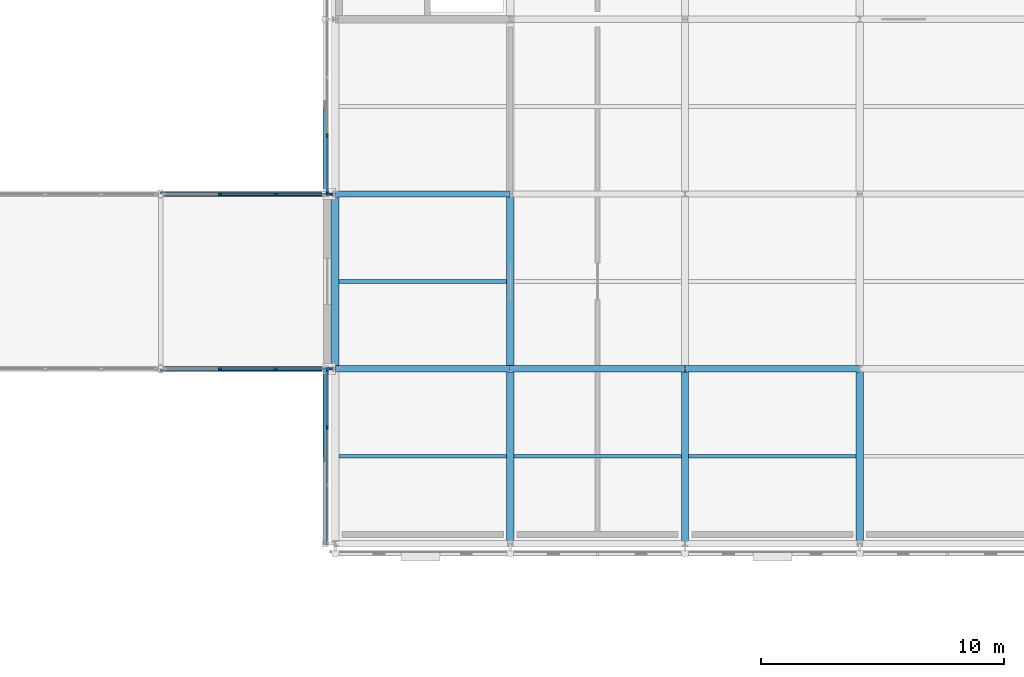
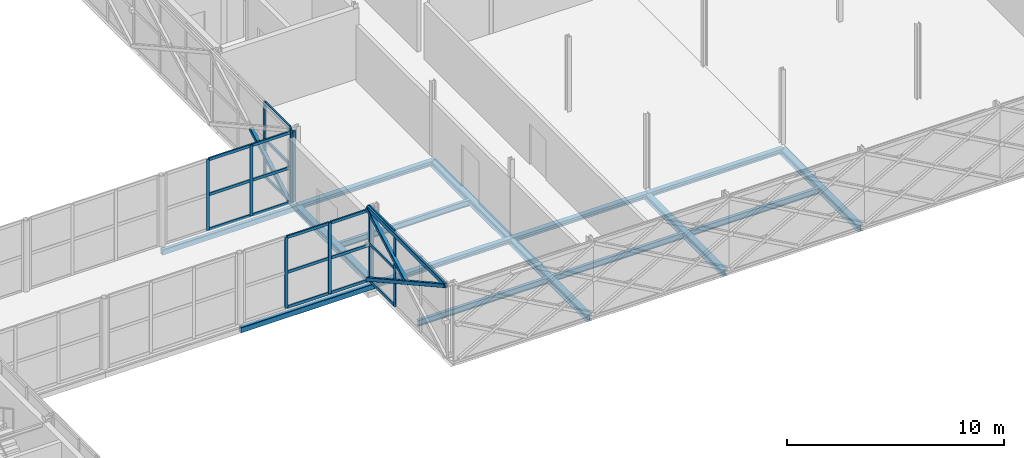
# One storey, part 58 of 126: 32 members, 15 beams, 4 elements without a shape of their own.
"""IFC4 building model written with IfcOpenShell, lengths in metres."""

import ifcopenshell
import ifcopenshell.guid

model = None  # the IFC model being written
_history = None  # IfcOwnerHistory: only IFC2X3 demands one
_inside = {}  # id of a spatial element -> (the spatial element, [elements in it])
_under = {}  # id of a project, library or spatial element -> (it, [spatial elements below it])
_declared = {}  # id of a project -> (the project, [libraries it declares])
_typed = {}  # id of a type object -> (the type object, [elements of that type])
_made_of = {}  # id of a material, layer set ... -> (it, [elements and type objects made of it])


def new_model(schema):
    """Start an empty IFC model of exactly this schema.

    Asked for "IFC4X3", IfcOpenShell would pick the latest addendum, in which some entities
    have other attributes; the version numbers below select the first issue.
    IFC2X3 requires an IfcOwnerHistory on every rooted entity: one is made here for all.
    """
    global model, _history
    if schema == "IFC4X3":
        model = ifcopenshell.file(schema_version=(4, 3, 0, 0))
    else:
        model = ifcopenshell.file(schema=schema)
    _inside.clear()
    _under.clear()
    _declared.clear()
    _typed.clear()
    _made_of.clear()
    _history = None
    if model.schema == "IFC2X3":
        org = make("IfcOrganization", Name="unknown")
        user = make(
            "IfcPersonAndOrganization",
            ThePerson=make("IfcPerson", FamilyName="unknown"),
            TheOrganization=org,
        )
        app = make(
            "IfcApplication",
            ApplicationDeveloper=org,
            Version="unknown",
            ApplicationFullName="unknown",
            ApplicationIdentifier="unknown",
        )
        _history = make(
            "IfcOwnerHistory",
            OwningUser=user,
            OwningApplication=app,
            ChangeAction="ADDED",
            CreationDate=0,
        )
    return model


def make(cls, **values):
    """One entity of the class cls with the attributes given. An attribute that is None is left unset."""
    return model.create_entity(
        cls, **{name: value for name, value in values.items() if value is not None}
    )


def rooted(cls, **values):
    """An entity with a GlobalId (a new one), such as an element, a storey or a relation."""
    return make(cls, GlobalId=ifcopenshell.guid.new(), OwnerHistory=_history, **values)


def si_unit(unit_type, name, prefix=None):
    """IfcSIUnit, for example si_unit("LENGTHUNIT", "METRE", prefix="MILLI")."""
    return make("IfcSIUnit", UnitType=unit_type, Prefix=prefix, Name=name)


def assignment(units):
    """IfcUnitAssignment: the units of a project."""
    return None if units is None else make("IfcUnitAssignment", Units=units)


def point(xyz):
    """IfcCartesianPoint."""
    return None if xyz is None else make("IfcCartesianPoint", Coordinates=xyz)


def direction(xyz):
    """IfcDirection."""
    return None if xyz is None else make("IfcDirection", DirectionRatios=xyz)


def frame(location, z_axis=None, x_axis=None):
    """IfcAxis2Placement3D, a coordinate frame: its origin and axes. An axis left out is left unset."""
    return make(
        "IfcAxis2Placement3D",
        Location=point(location),
        Axis=direction(z_axis),
        RefDirection=direction(x_axis),
    )


def frame_2d(location, x_axis=None):
    """IfcAxis2Placement2D, a coordinate frame in the plane: its origin and x axis."""
    return make(
        "IfcAxis2Placement2D", Location=point(location), RefDirection=direction(x_axis)
    )


def origin():
    """The frame at (0, 0, 0) with its axes left unset."""
    return frame((0.0, 0.0, 0.0))


def origin_2d():
    """The frame at (0, 0) in the plane with its x axis left unset."""
    return frame_2d((0.0, 0.0))


def place(relative_to, where):
    """IfcLocalPlacement: puts the frame where relative to a parent placement (None: the world)."""
    return make(
        "IfcLocalPlacement", PlacementRelTo=relative_to, RelativePlacement=where
    )


def context(
    kind, dimensions, precision=None, world=None, true_north=None, identifier=None
):
    """IfcGeometricRepresentationContext, for example the 3D "Model" context."""
    return make(
        "IfcGeometricRepresentationContext",
        ContextIdentifier=identifier,
        ContextType=kind,
        CoordinateSpaceDimension=dimensions,
        Precision=precision,
        WorldCoordinateSystem=world,
        TrueNorth=true_north,
    )


def subcontext(parent, identifier, kind, view, scale=None):
    """IfcGeometricRepresentationSubContext, for example "Body" below "Model"."""
    return make(
        "IfcGeometricRepresentationSubContext",
        ContextIdentifier=identifier,
        ContextType=kind,
        ParentContext=parent,
        TargetScale=scale,
        TargetView=view,
    )


def project(units=None, contexts=None):
    """IfcProject with its units and contexts."""
    return rooted(
        "IfcProject",
        Name="project",
        RepresentationContexts=contexts,
        UnitsInContext=assignment(units),
    )


def spatial(cls, under=None, at=None, **own):
    """A site, building, storey or space (cls), placed at a placement, below another one or the project."""
    s = rooted(cls, ObjectPlacement=at, **own)
    if under is not None:
        _under.setdefault(under.id(), (under, []))[1].append(s)
    return s


def profile(cls, at=None, kind="AREA", **sizes):
    """A parametric profile (cls). Its sizes go by their IFC names, for example OverallWidth=200.0."""
    return make(cls, ProfileType=kind, Position=at, **sizes)


def rectangle(**sizes):
    """IfcRectangleProfileDef."""
    return profile("IfcRectangleProfileDef", **sizes)


def hollow_rectangle(**sizes):
    """IfcRectangleHollowProfileDef."""
    return profile("IfcRectangleHollowProfileDef", **sizes)


def i_section(**sizes):
    """IfcIShapeProfileDef."""
    return profile("IfcIShapeProfileDef", **sizes)


def extrude(swept, where, along, depth):
    """IfcExtrudedAreaSolid: the profile swept, set in the frame where, extruded along a direction by depth."""
    return make(
        "IfcExtrudedAreaSolid",
        SweptArea=swept,
        Position=where,
        ExtrudedDirection=direction(along),
        Depth=depth,
    )


def shape(context_of_items, identifier, shape_type, items):
    """IfcShapeRepresentation: the items that make up one representation, for example the "Body"."""
    return make(
        "IfcShapeRepresentation",
        ContextOfItems=context_of_items,
        RepresentationIdentifier=identifier,
        RepresentationType=shape_type,
        Items=items,
    )


def material(Name=None, Category=None):
    """IfcMaterial."""
    return make("IfcMaterial", Name=Name, Category=Category)


def material_profile(
    of_material, cross_section, Name=None, Category=None, Priority=None
):
    """IfcMaterialProfile: a cross section and its material."""
    return make(
        "IfcMaterialProfile",
        Name=Name,
        Material=of_material,
        Profile=cross_section,
        Priority=Priority,
        Category=Category,
    )


def profile_set(profiles, Name=None, composite=None):
    """IfcMaterialProfileSet."""
    return make(
        "IfcMaterialProfileSet",
        Name=Name,
        MaterialProfiles=profiles,
        CompositeProfile=composite,
    )


def made_of(thing, what):
    """Note that an element or type object is made of a material, layer set ...; save() writes the relation."""
    if what is not None:
        _made_of.setdefault(what.id(), (what, []))[1].append(thing)
    return thing


def type_object(cls, material=None, **own):
    """A type object (cls), such as IfcWallType, which elements share."""
    return made_of(rooted(cls, **own), material)


def element(
    cls,
    number,
    at=None,
    inside=None,
    cuts=None,
    type_object=None,
    material=None,
    context=None,
    identifier="Body",
    shape_type=None,
    held_by="IfcProductDefinitionShape",
    body=None,
    shapes=None,
    **own,
):
    """One element of the class cls, such as IfcWall. Its Tag is "e" and its number.

    at: its placement. inside: the storey or other place that contains it. cuts: it is an
    opening in that element (IfcRelVoidsElement). A single representation is given by context,
    identifier, shape_type and body (its items); several are given by shapes. held_by: the class
    of the entity that holds the representations. save() writes the other relations.
    """
    e = rooted(cls, Tag="e%d" % number, ObjectPlacement=at, **own)
    if body is not None:
        shapes = [shape(context, identifier, shape_type, body)]
    if shapes is not None:
        e.Representation = make(held_by, Representations=shapes)
    if inside is not None:
        _inside.setdefault(inside.id(), (inside, []))[1].append(e)
    if cuts is not None:
        rooted(
            "IfcRelVoidsElement", RelatingBuildingElement=cuts, RelatedOpeningElement=e
        )
    if type_object is not None:
        _typed.setdefault(type_object.id(), (type_object, []))[1].append(e)
    return made_of(e, material)


def aggregate(whole, parts):
    """IfcRelAggregates: a whole, such as a stair, and the parts it consists of."""
    return rooted("IfcRelAggregates", RelatingObject=whole, RelatedObjects=parts)


def save(model, path):
    """Write the relations noted so far, then the file.

    IfcRelAggregates (storeys below a building ...), IfcRelContainedInSpatialStructure (elements
    in a storey), IfcRelDefinesByType, IfcRelAssociatesMaterial and IfcRelDeclares: one each for
    every whole, place, type object, material and project.
    """
    for whole, parts in _under.values():
        aggregate(whole, parts)
    for where, things in _inside.values():
        rooted(
            "IfcRelContainedInSpatialStructure",
            RelatedElements=things,
            RelatingStructure=where,
        )
    for kind, things in _typed.values():
        rooted("IfcRelDefinesByType", RelatedObjects=things, RelatingType=kind)
    for what, things in _made_of.values():
        rooted("IfcRelAssociatesMaterial", RelatedObjects=things, RelatingMaterial=what)
    for by, libraries in _declared.values():
        rooted("IfcRelDeclares", RelatingContext=by, RelatedDefinitions=libraries)
    model.write(path)


model = new_model("IFC4")

# Units and contexts
model_context = context("Model", 3, precision=1e-05, world=origin(), true_north=direction((0.0, 1.0)))
body_context = subcontext(model_context, "Body", "Model", "MODEL_VIEW")
ifc_project = project(units=[si_unit("LENGTHUNIT", "METRE"), si_unit("AREAUNIT", "SQUARE_METRE"), si_unit("VOLUMEUNIT", "CUBIC_METRE"), si_unit("PLANEANGLEUNIT", "RADIAN"), si_unit("MASSUNIT", "GRAM", prefix="KILO")], contexts=[model_context])

# Site, building, storey
site_placement = place(None, origin())
site = spatial("IfcSite", under=ifc_project, at=site_placement, CompositionType="ELEMENT")
building_placement = place(site_placement, origin())
building = spatial("IfcBuilding", under=site, at=building_placement, Name="Zlatovets Crest Museum", CompositionType="ELEMENT")
storey_placement = place(building_placement, frame((0.0, 0.0, 8.699951171875)))
storey = spatial("IfcBuildingStorey", under=building, at=storey_placement, Name="L02", CompositionType="ELEMENT", Elevation=8.699951171875)

# Beams
ifc_material_1 = material(Name="Structural steel S355J2", Category="steel")
ifc_material_profile_1 = material_profile(ifc_material_1, i_section(OverallWidth=0.300048828125, OverallDepth=0.35009765625, WebThickness=0.010009765625, FlangeThickness=0.017578125, FilletRadius=0.027099609375, at=origin_2d()), Name="HEA 360")
ifc_profile_set_1 = profile_set([ifc_material_profile_1], Name="Structural steel S355J2")
beam_type_1 = type_object("IfcBeamType", Name="Beam_B-03", PredefinedType="BEAM", material=ifc_profile_set_1)
beam_1_placement = place(storey_placement, frame((129.60009765625, 21.60009765625, -0.39501953125), z_axis=(0.0, 1.0, 0.0), x_axis=(-1.0, 0.0, 0.0)))
element("IfcBeam", 1, at=beam_1_placement, inside=storey, type_object=beam_type_1, Name="V5 L02 Grid Beam B-03", PredefinedType="BEAM", context=body_context, shape_type="SweptSolid", body=[
    extrude(i_section(OverallWidth=0.300048828125, OverallDepth=0.35009765625, WebThickness=0.010009765625, FlangeThickness=0.017578125, FilletRadius=0.027099609375, at=origin_2d()), origin(), (0.0, 0.0, 1.0), 7.199951171875),
])
beam_2_placement = place(storey_placement, frame((136.800048828125, 14.39990234375, -0.39501953125), z_axis=(0.0, 1.0, 0.0), x_axis=(-1.0, 0.0, 0.0)))
element("IfcBeam", 2, at=beam_2_placement, inside=storey, type_object=beam_type_1, Name="V5 L02 Grid Beam B-03", PredefinedType="BEAM", context=body_context, shape_type="SweptSolid", body=[
    extrude(i_section(OverallWidth=0.300048828125, OverallDepth=0.35009765625, WebThickness=0.010009765625, FlangeThickness=0.017578125, FilletRadius=0.027099609375, at=origin_2d()), origin(), (0.0, 0.0, 1.0), 7.2001953125),
])
beam_3_placement = place(storey_placement, frame((136.800048828125, 21.60009765625, -0.39501953125), z_axis=(0.0, 1.0, 0.0), x_axis=(-1.0, 0.0, 0.0)))
element("IfcBeam", 3, at=beam_3_placement, inside=storey, type_object=beam_type_1, Name="V5 L02 Grid Beam B-03", PredefinedType="BEAM", context=body_context, shape_type="SweptSolid", body=[
    extrude(i_section(OverallWidth=0.300048828125, OverallDepth=0.35009765625, WebThickness=0.010009765625, FlangeThickness=0.017578125, FilletRadius=0.027099609375, at=origin_2d()), origin(), (0.0, 0.0, 1.0), 7.199951171875),
])
for number, where, z_axis, x_axis, name in (
    (4, (144.0, 14.39990234375, -0.39501953125), (0.0, 1.0, 0.0), (-1.0, 0.0, 0.0), "V5 L02 Grid Beam B-03"),
    (5, (151.199951171875, 14.39990234375, -0.39501953125), (0.0, 1.0, 0.0), (-1.0, 0.0, 0.0), "V5 L02 Grid Beam B-03"),
):
    element("IfcBeam", number, at=place(storey_placement, frame(where, z_axis=z_axis, x_axis=x_axis)), inside=storey, type_object=beam_type_1, Name=name, PredefinedType="BEAM", context=body_context, shape_type="SweptSolid", body=[
        extrude(i_section(OverallWidth=0.300048828125, OverallDepth=0.35009765625, WebThickness=0.010009765625, FlangeThickness=0.017578125, FilletRadius=0.027099609375, at=origin_2d()), origin(), (0.0, 0.0, 1.0), 7.2001953125),
    ])
ifc_material_profile_2 = material_profile(ifc_material_1, i_section(OverallWidth=0.260009765625, OverallDepth=0.25, WebThickness=0.007568359375, FlangeThickness=0.012451171875, FilletRadius=0.02392578125, at=origin_2d()), Name="HEA 260")
ifc_profile_set_2 = profile_set([ifc_material_profile_2], Name="Structural steel S355J2")
beam_type_2 = type_object("IfcBeamType", Name="Beam_B-13", PredefinedType="BEAM", material=ifc_profile_set_2)
for number, where, z_axis, x_axis, name in (
    (6, (129.60009765625, 21.60009765625, -0.344970703125), (1.0, 0.0, 0.0), (0.0, 1.0, 0.0), "V5 L02 Primary Girder B-13"),
    (7, (136.800048828125, 21.60009765625, -0.344970703125), (1.0, 0.0, 0.0), (0.0, 1.0, 0.0), "V5 L02 Primary Girder B-13"),
    (8, (144.0, 21.60009765625, -0.344970703125), (1.0, 0.0, 0.0), (0.0, 1.0, 0.0), "V5 L02 Primary Girder B-13"),
    (9, (129.60009765625, 28.800048828125, -0.344970703125), (1.0, 0.0, 0.0), (0.0, 1.0, 0.0), "V5 L02 Primary Girder B-13"),
):
    element("IfcBeam", number, at=place(storey_placement, frame(where, z_axis=z_axis, x_axis=x_axis)), inside=storey, type_object=beam_type_2, Name=name, PredefinedType="BEAM", context=body_context, shape_type="SweptSolid", body=[
        extrude(i_section(OverallWidth=0.260009765625, OverallDepth=0.25, WebThickness=0.007568359375, FlangeThickness=0.012451171875, FilletRadius=0.02392578125, at=origin_2d()), origin(), (0.0, 0.0, 1.0), 7.199951171875),
    ])
ifc_material_profile_3 = material_profile(ifc_material_1, hollow_rectangle(XDim=0.199951171875, YDim=0.300048828125, WallThickness=0.012451171875, InnerFilletRadius=0.012451171875, OuterFilletRadius=0.02490234375, at=origin_2d()), Name="RHS 200x300x12.5")
ifc_profile_set_3 = profile_set([ifc_material_profile_3], Name="Structural steel S355J2")
beam_type_3 = type_object("IfcBeamType", Name="Beam_BRG-01", PredefinedType="BEAM", material=ifc_profile_set_3)
for number, where, z_axis, x_axis, name in (
    (10, (122.39990234375, 21.60009765625, -0.369873046875), (1.0, 0.0, 0.0), (0.0, 1.0, 0.0), "Southeast Archive Glazed Link Bridge L02 Stringer Beam"),
    (11, (122.39990234375, 28.800048828125, -0.369873046875), (1.0, 0.0, 0.0), (0.0, 1.0, 0.0), "Southeast Archive Glazed Link Bridge L02 Stringer Beam"),
):
    element("IfcBeam", number, at=place(storey_placement, frame(where, z_axis=z_axis, x_axis=x_axis)), inside=storey, type_object=beam_type_3, Name=name, PredefinedType="BEAM", context=body_context, shape_type="SweptSolid", body=[
        extrude(hollow_rectangle(XDim=0.199951171875, YDim=0.300048828125, WallThickness=0.012451171875, InnerFilletRadius=0.012451171875, OuterFilletRadius=0.02490234375, at=origin_2d()), origin(), (0.0, 0.0, 1.0), 7.2001953125),
    ])
ifc_material_profile_4 = material_profile(ifc_material_1, i_section(OverallWidth=0.159912109375, OverallDepth=0.330078125, WebThickness=0.007568359375, FlangeThickness=0.011474609375, FilletRadius=0.01806640625, at=origin_2d()), Name="IPE 330")
ifc_profile_set_4 = profile_set([ifc_material_profile_4], Name="Structural steel S355J2")
beam_type_4 = type_object("IfcBeamType", Name="Beam_J-09", PredefinedType="JOIST", material=ifc_profile_set_4)
for number, where, z_axis, x_axis, name in (
    (12, (129.75, 18.0, -0.385009765625), (1.0, 0.0, 0.0), (0.0, 1.0, 0.0), "V5 L02 Composite Joist J-09"),
    (13, (129.75, 25.199951171875, -0.385009765625), (1.0, 0.0, 0.0), (0.0, 1.0, 0.0), "V5 L02 Composite Joist J-09"),
):
    element("IfcBeam", number, at=place(storey_placement, frame(where, z_axis=z_axis, x_axis=x_axis)), inside=storey, type_object=beam_type_4, Name=name, PredefinedType="JOIST", context=body_context, shape_type="SweptSolid", body=[
        extrude(i_section(OverallWidth=0.159912109375, OverallDepth=0.330078125, WebThickness=0.007568359375, FlangeThickness=0.011474609375, FilletRadius=0.01806640625, at=origin_2d()), origin(), (0.0, 0.0, 1.0), 6.89990234375),
    ])
for number, where, z_axis, x_axis, name in (
    (14, (136.949951171875, 18.0, -0.385009765625), (1.0, 0.0, 0.0), (0.0, 1.0, 0.0), "V5 L02 Composite Joist J-09"),
    (15, (144.14990234375, 18.0, -0.385009765625), (1.0, 0.0, 0.0), (0.0, 1.0, 0.0), "V5 L02 Composite Joist J-09"),
):
    element("IfcBeam", number, at=place(storey_placement, frame(where, z_axis=z_axis, x_axis=x_axis)), inside=storey, type_object=beam_type_4, Name=name, PredefinedType="JOIST", context=body_context, shape_type="SweptSolid", body=[
        extrude(i_section(OverallWidth=0.159912109375, OverallDepth=0.330078125, WebThickness=0.007568359375, FlangeThickness=0.011474609375, FilletRadius=0.01806640625, at=origin_2d()), origin(), (0.0, 0.0, 1.0), 6.900146484375),
    ])

# Curtain wall, members
ifc_material_2 = material(Name="Bronze-anodised aluminium and low-E triple glass", Category="aluminium")
curtain_wall_type_1 = type_object("IfcCurtainWallType", Name="CW_CW-V5-L02-M3", PredefinedType="NOTDEFINED", material=ifc_material_2)
curtain_wall_1_placement = place(storey_placement, origin())
curtain_wall_1 = element("IfcCurtainWall", 16, at=curtain_wall_1_placement, inside=storey, type_object=curtain_wall_type_1, Name="V5 L02 Secession Foyer Clear Curtain Wall", PredefinedType="NOTDEFINED")
ifc_material_3 = material(Name="Bronze-anodised aluminium EN AW-6060", Category="aluminium")
ifc_material_profile_5 = material_profile(ifc_material_3, rectangle(XDim=0.080078125, YDim=0.159912109375, at=origin_2d()), Name="ALU 80x160")
ifc_profile_set_5 = profile_set([ifc_material_profile_5], Name="Bronze-anodised aluminium EN AW-6060")
member_type_1 = type_object("IfcMemberType", Name="CWMull_M1", PredefinedType="MULLION", material=ifc_profile_set_5)
member_1_placement = place(storey_placement, frame((129.260009765625, 31.199951171875, 0.0), z_axis=(0.0, 0.0, 1.0), x_axis=(1.0, 0.0, 0.0)))
member_1 = element("IfcMember", 17, at=member_1_placement, type_object=member_type_1, Name="CW-V5-L02-M3 mullion 3", PredefinedType="MULLION", context=body_context, shape_type="SweptSolid", body=[
    extrude(rectangle(XDim=0.080078125, YDim=0.159912109375, at=origin_2d()), origin(), (0.0, 0.0, 1.0), 4.199951171875),
])
member_2_placement = place(storey_placement, frame((129.260009765625, 28.830078125, 0.0), z_axis=(0.0, 0.0, 1.0), x_axis=(1.0, 0.0, 0.0)))
member_2 = element("IfcMember", 18, at=member_2_placement, type_object=member_type_1, Name="CW-V5-L02-M3 mullion 4", PredefinedType="MULLION", context=body_context, shape_type="SweptSolid", body=[
    extrude(rectangle(XDim=0.080078125, YDim=0.159912109375, at=origin_2d()), origin(), (0.0, 0.0, 1.0), 4.199951171875),
])

curtain_wall_type_2 = type_object("IfcCurtainWallType", Name="CW_CW-V5-L02-M1", PredefinedType="NOTDEFINED", material=ifc_material_2)
curtain_wall_2_placement = place(storey_placement, origin())
curtain_wall_2 = element("IfcCurtainWall", 19, at=curtain_wall_2_placement, inside=storey, type_object=curtain_wall_type_2, Name="V5 L02 Secession Foyer Clear Curtain Wall", PredefinedType="NOTDEFINED")
member_3_placement = place(storey_placement, frame((129.260009765625, 21.570068359375, 0.0), z_axis=(0.0, 0.0, 1.0), x_axis=(1.0, 0.0, 0.0)))
member_3 = element("IfcMember", 20, at=member_3_placement, type_object=member_type_1, Name="CW-V5-L02-M1 mullion 1", PredefinedType="MULLION", context=body_context, shape_type="SweptSolid", body=[
    extrude(rectangle(XDim=0.080078125, YDim=0.159912109375, at=origin_2d()), origin(), (0.0, 0.0, 1.0), 4.199951171875),
])
member_4_placement = place(storey_placement, frame((129.260009765625, 19.199951171875, 0.0), z_axis=(0.0, 0.0, 1.0), x_axis=(1.0, 0.0, 0.0)))
member_4 = element("IfcMember", 21, at=member_4_placement, type_object=member_type_1, Name="CW-V5-L02-M1 mullion 2", PredefinedType="MULLION", context=body_context, shape_type="SweptSolid", body=[
    extrude(rectangle(XDim=0.080078125, YDim=0.159912109375, at=origin_2d()), origin(), (0.0, 0.0, 1.0), 4.199951171875),
])

curtain_wall_type_3 = type_object("IfcCurtainWallType", Name="CW_CW-BR4-L02-S69", PredefinedType="NOTDEFINED", material=ifc_material_2)
curtain_wall_3_placement = place(storey_placement, origin())
curtain_wall_3 = element("IfcCurtainWall", 22, at=curtain_wall_3_placement, inside=storey, type_object=curtain_wall_type_3, Name="Southeast Archive Glazed Link Bridge L02 Glazed Bridge Curtain Wall", PredefinedType="NOTDEFINED")
member_5_placement = place(storey_placement, frame((124.85009765625, 21.60009765625, 0.0), z_axis=(0.0, 0.0, 1.0), x_axis=(0.0, 1.0, 0.0)))
member_5 = element("IfcMember", 23, at=member_5_placement, type_object=member_type_1, Name="CW-BR4-L02-S69 mullion 2", PredefinedType="MULLION", context=body_context, shape_type="SweptSolid", body=[
    extrude(rectangle(XDim=0.080078125, YDim=0.159912109375, at=origin_2d()), origin(), (0.0, 0.0, 1.0), 3.97998046875),
])
member_6_placement = place(storey_placement, frame((127.14990234375, 21.60009765625, 0.0), z_axis=(0.0, 0.0, 1.0), x_axis=(0.0, 1.0, 0.0)))
member_6 = element("IfcMember", 24, at=member_6_placement, type_object=member_type_1, Name="CW-BR4-L02-S69 mullion 3", PredefinedType="MULLION", context=body_context, shape_type="SweptSolid", body=[
    extrude(rectangle(XDim=0.080078125, YDim=0.159912109375, at=origin_2d()), origin(), (0.0, 0.0, 1.0), 3.97998046875),
])
member_7_placement = place(storey_placement, frame((129.419921875, 21.60009765625, 0.0), z_axis=(0.0, 0.0, 1.0), x_axis=(0.0, 1.0, 0.0)))
member_7 = element("IfcMember", 25, at=member_7_placement, type_object=member_type_1, Name="CW-BR4-L02-S69 mullion 4", PredefinedType="MULLION", context=body_context, shape_type="SweptSolid", body=[
    extrude(rectangle(XDim=0.080078125, YDim=0.159912109375, at=origin_2d()), origin(), (0.0, 0.0, 1.0), 3.97998046875),
])

curtain_wall_4_placement = place(storey_placement, origin())
curtain_wall_4 = element("IfcCurtainWall", 26, at=curtain_wall_4_placement, inside=storey, type_object=curtain_wall_type_3, Name="Southeast Archive Glazed Link Bridge L02 Glazed Bridge Curtain Wall", PredefinedType="NOTDEFINED")
member_8_placement = place(storey_placement, frame((124.85009765625, 28.800048828125, 0.0), z_axis=(0.0, 0.0, 1.0), x_axis=(0.0, 1.0, 0.0)))
member_8 = element("IfcMember", 27, at=member_8_placement, type_object=member_type_1, Name="CW-BR4-L02-S69 mullion 2", PredefinedType="MULLION", context=body_context, shape_type="SweptSolid", body=[
    extrude(rectangle(XDim=0.080078125, YDim=0.159912109375, at=origin_2d()), origin(), (0.0, 0.0, 1.0), 3.97998046875),
])
member_9_placement = place(storey_placement, frame((127.14990234375, 28.800048828125, 0.0), z_axis=(0.0, 0.0, 1.0), x_axis=(0.0, 1.0, 0.0)))
member_9 = element("IfcMember", 28, at=member_9_placement, type_object=member_type_1, Name="CW-BR4-L02-S69 mullion 3", PredefinedType="MULLION", context=body_context, shape_type="SweptSolid", body=[
    extrude(rectangle(XDim=0.080078125, YDim=0.159912109375, at=origin_2d()), origin(), (0.0, 0.0, 1.0), 3.97998046875),
])
member_10_placement = place(storey_placement, frame((129.419921875, 28.800048828125, 0.0), z_axis=(0.0, 0.0, 1.0), x_axis=(0.0, 1.0, 0.0)))
member_10 = element("IfcMember", 29, at=member_10_placement, type_object=member_type_1, Name="CW-BR4-L02-S69 mullion 4", PredefinedType="MULLION", context=body_context, shape_type="SweptSolid", body=[
    extrude(rectangle(XDim=0.080078125, YDim=0.159912109375, at=origin_2d()), origin(), (0.0, 0.0, 1.0), 3.97998046875),
])

# Member
ifc_material_profile_6 = material_profile(ifc_material_3, rectangle(XDim=0.080078125, YDim=0.159912109375, at=origin_2d()), Name="ALU 80x160")
ifc_profile_set_6 = profile_set([ifc_material_profile_6], Name="Bronze-anodised aluminium EN AW-6060")
member_type_2 = type_object("IfcMemberType", Name="CWTrans_T1", PredefinedType="USERDEFINED", material=ifc_profile_set_6)
member_11_placement = place(storey_placement, frame((129.260009765625, 31.169921875, 0.030029296875), z_axis=(0.0, -1.0, 0.0), x_axis=(1.0, 0.0, 0.0)))
member_11 = element("IfcMember", 30, at=member_11_placement, type_object=member_type_2, Name="CW-V5-L02-M3 transom 3.1", ObjectType="TRANSOM", PredefinedType="USERDEFINED", context=body_context, shape_type="SweptSolid", body=[
    extrude(rectangle(XDim=0.080078125, YDim=0.159912109375, at=origin_2d()), origin(), (0.0, 0.0, 1.0), 2.309814453125),
])

member_12_placement = place(storey_placement, frame((129.260009765625, 31.169921875, 2.10009765625), z_axis=(0.0, -1.0, 0.0), x_axis=(1.0, 0.0, 0.0)))
member_12 = element("IfcMember", 31, at=member_12_placement, type_object=member_type_2, Name="CW-V5-L02-M3 transom 3.2", ObjectType="TRANSOM", PredefinedType="USERDEFINED", context=body_context, shape_type="SweptSolid", body=[
    extrude(rectangle(XDim=0.080078125, YDim=0.159912109375, at=origin_2d()), origin(), (0.0, 0.0, 1.0), 2.309814453125),
])

member_13_placement = place(storey_placement, frame((129.260009765625, 31.169921875, 4.170166015625), z_axis=(0.0, -1.0, 0.0), x_axis=(1.0, 0.0, 0.0)))
member_13 = element("IfcMember", 32, at=member_13_placement, type_object=member_type_2, Name="CW-V5-L02-M3 transom 3.3", ObjectType="TRANSOM", PredefinedType="USERDEFINED", context=body_context, shape_type="SweptSolid", body=[
    extrude(rectangle(XDim=0.080078125, YDim=0.159912109375, at=origin_2d()), origin(), (0.0, 0.0, 1.0), 2.309814453125),
])

aggregate(curtain_wall_1, [member_1, member_2, member_11, member_12, member_13])

member_14_placement = place(storey_placement, frame((129.260009765625, 21.5400390625, 0.030029296875), z_axis=(0.0, -1.0, 0.0), x_axis=(1.0, 0.0, 0.0)))
member_14 = element("IfcMember", 33, at=member_14_placement, type_object=member_type_2, Name="CW-V5-L02-M1 transom 1.1", ObjectType="TRANSOM", PredefinedType="USERDEFINED", context=body_context, shape_type="SweptSolid", body=[
    extrude(rectangle(XDim=0.080078125, YDim=0.159912109375, at=origin_2d()), origin(), (0.0, 0.0, 1.0), 2.31005859375),
])

member_15_placement = place(storey_placement, frame((129.260009765625, 21.5400390625, 2.10009765625), z_axis=(0.0, -1.0, 0.0), x_axis=(1.0, 0.0, 0.0)))
member_15 = element("IfcMember", 34, at=member_15_placement, type_object=member_type_2, Name="CW-V5-L02-M1 transom 1.2", ObjectType="TRANSOM", PredefinedType="USERDEFINED", context=body_context, shape_type="SweptSolid", body=[
    extrude(rectangle(XDim=0.080078125, YDim=0.159912109375, at=origin_2d()), origin(), (0.0, 0.0, 1.0), 2.31005859375),
])

member_16_placement = place(storey_placement, frame((129.260009765625, 21.5400390625, 4.170166015625), z_axis=(0.0, -1.0, 0.0), x_axis=(1.0, 0.0, 0.0)))
member_16 = element("IfcMember", 35, at=member_16_placement, type_object=member_type_2, Name="CW-V5-L02-M1 transom 1.3", ObjectType="TRANSOM", PredefinedType="USERDEFINED", context=body_context, shape_type="SweptSolid", body=[
    extrude(rectangle(XDim=0.080078125, YDim=0.159912109375, at=origin_2d()), origin(), (0.0, 0.0, 1.0), 2.31005859375),
])

aggregate(curtain_wall_2, [member_3, member_4, member_14, member_15, member_16])

member_17_placement = place(storey_placement, frame((124.8798828125, 21.60009765625, 0.030029296875), z_axis=(1.0, 0.0, 0.0), x_axis=(0.0, 1.0, 0.0)))
member_17 = element("IfcMember", 36, at=member_17_placement, type_object=member_type_2, Name="CW-BR4-L02-S69 transom 2.1", ObjectType="TRANSOM", PredefinedType="USERDEFINED", context=body_context, shape_type="SweptSolid", body=[
    extrude(rectangle(XDim=0.080078125, YDim=0.159912109375, at=origin_2d()), origin(), (0.0, 0.0, 1.0), 2.240234375),
])

member_18_placement = place(storey_placement, frame((124.8798828125, 21.60009765625, 1.989990234375), z_axis=(1.0, 0.0, 0.0), x_axis=(0.0, 1.0, 0.0)))
member_18 = element("IfcMember", 37, at=member_18_placement, type_object=member_type_2, Name="CW-BR4-L02-S69 transom 2.2", ObjectType="TRANSOM", PredefinedType="USERDEFINED", context=body_context, shape_type="SweptSolid", body=[
    extrude(rectangle(XDim=0.080078125, YDim=0.159912109375, at=origin_2d()), origin(), (0.0, 0.0, 1.0), 2.240234375),
])

member_19_placement = place(storey_placement, frame((124.8798828125, 21.60009765625, 3.949951171875), z_axis=(1.0, 0.0, 0.0), x_axis=(0.0, 1.0, 0.0)))
member_19 = element("IfcMember", 38, at=member_19_placement, type_object=member_type_2, Name="CW-BR4-L02-S69 transom 2.3", ObjectType="TRANSOM", PredefinedType="USERDEFINED", context=body_context, shape_type="SweptSolid", body=[
    extrude(rectangle(XDim=0.080078125, YDim=0.159912109375, at=origin_2d()), origin(), (0.0, 0.0, 1.0), 2.240234375),
])

member_20_placement = place(storey_placement, frame((127.179931640625, 21.60009765625, 0.030029296875), z_axis=(1.0, 0.0, 0.0), x_axis=(0.0, 1.0, 0.0)))
member_20 = element("IfcMember", 39, at=member_20_placement, type_object=member_type_2, Name="CW-BR4-L02-S69 transom 3.1", ObjectType="TRANSOM", PredefinedType="USERDEFINED", context=body_context, shape_type="SweptSolid", body=[
    extrude(rectangle(XDim=0.080078125, YDim=0.159912109375, at=origin_2d()), origin(), (0.0, 0.0, 1.0), 2.2099609375),
])

member_21_placement = place(storey_placement, frame((127.179931640625, 21.60009765625, 1.989990234375), z_axis=(1.0, 0.0, 0.0), x_axis=(0.0, 1.0, 0.0)))
member_21 = element("IfcMember", 40, at=member_21_placement, type_object=member_type_2, Name="CW-BR4-L02-S69 transom 3.2", ObjectType="TRANSOM", PredefinedType="USERDEFINED", context=body_context, shape_type="SweptSolid", body=[
    extrude(rectangle(XDim=0.080078125, YDim=0.159912109375, at=origin_2d()), origin(), (0.0, 0.0, 1.0), 2.2099609375),
])

member_22_placement = place(storey_placement, frame((127.179931640625, 21.60009765625, 3.949951171875), z_axis=(1.0, 0.0, 0.0), x_axis=(0.0, 1.0, 0.0)))
member_22 = element("IfcMember", 41, at=member_22_placement, type_object=member_type_2, Name="CW-BR4-L02-S69 transom 3.3", ObjectType="TRANSOM", PredefinedType="USERDEFINED", context=body_context, shape_type="SweptSolid", body=[
    extrude(rectangle(XDim=0.080078125, YDim=0.159912109375, at=origin_2d()), origin(), (0.0, 0.0, 1.0), 2.2099609375),
])

aggregate(curtain_wall_3, [member_5, member_6, member_7, member_17, member_18, member_19, member_20, member_21, member_22])

member_23_placement = place(storey_placement, frame((124.8798828125, 28.800048828125, 0.030029296875), z_axis=(1.0, 0.0, 0.0), x_axis=(0.0, 1.0, 0.0)))
member_23 = element("IfcMember", 42, at=member_23_placement, type_object=member_type_2, Name="CW-BR4-L02-S69 transom 2.1", ObjectType="TRANSOM", PredefinedType="USERDEFINED", context=body_context, shape_type="SweptSolid", body=[
    extrude(rectangle(XDim=0.080078125, YDim=0.159912109375, at=origin_2d()), origin(), (0.0, 0.0, 1.0), 2.240234375),
])

member_24_placement = place(storey_placement, frame((124.8798828125, 28.800048828125, 1.989990234375), z_axis=(1.0, 0.0, 0.0), x_axis=(0.0, 1.0, 0.0)))
member_24 = element("IfcMember", 43, at=member_24_placement, type_object=member_type_2, Name="CW-BR4-L02-S69 transom 2.2", ObjectType="TRANSOM", PredefinedType="USERDEFINED", context=body_context, shape_type="SweptSolid", body=[
    extrude(rectangle(XDim=0.080078125, YDim=0.159912109375, at=origin_2d()), origin(), (0.0, 0.0, 1.0), 2.240234375),
])

member_25_placement = place(storey_placement, frame((124.8798828125, 28.800048828125, 3.949951171875), z_axis=(1.0, 0.0, 0.0), x_axis=(0.0, 1.0, 0.0)))
member_25 = element("IfcMember", 44, at=member_25_placement, type_object=member_type_2, Name="CW-BR4-L02-S69 transom 2.3", ObjectType="TRANSOM", PredefinedType="USERDEFINED", context=body_context, shape_type="SweptSolid", body=[
    extrude(rectangle(XDim=0.080078125, YDim=0.159912109375, at=origin_2d()), origin(), (0.0, 0.0, 1.0), 2.240234375),
])

member_26_placement = place(storey_placement, frame((127.179931640625, 28.800048828125, 0.030029296875), z_axis=(1.0, 0.0, 0.0), x_axis=(0.0, 1.0, 0.0)))
member_26 = element("IfcMember", 45, at=member_26_placement, type_object=member_type_2, Name="CW-BR4-L02-S69 transom 3.1", ObjectType="TRANSOM", PredefinedType="USERDEFINED", context=body_context, shape_type="SweptSolid", body=[
    extrude(rectangle(XDim=0.080078125, YDim=0.159912109375, at=origin_2d()), origin(), (0.0, 0.0, 1.0), 2.2099609375),
])

member_27_placement = place(storey_placement, frame((127.179931640625, 28.800048828125, 1.989990234375), z_axis=(1.0, 0.0, 0.0), x_axis=(0.0, 1.0, 0.0)))
member_27 = element("IfcMember", 46, at=member_27_placement, type_object=member_type_2, Name="CW-BR4-L02-S69 transom 3.2", ObjectType="TRANSOM", PredefinedType="USERDEFINED", context=body_context, shape_type="SweptSolid", body=[
    extrude(rectangle(XDim=0.080078125, YDim=0.159912109375, at=origin_2d()), origin(), (0.0, 0.0, 1.0), 2.2099609375),
])

member_28_placement = place(storey_placement, frame((127.179931640625, 28.800048828125, 3.949951171875), z_axis=(1.0, 0.0, 0.0), x_axis=(0.0, 1.0, 0.0)))
member_28 = element("IfcMember", 47, at=member_28_placement, type_object=member_type_2, Name="CW-BR4-L02-S69 transom 3.3", ObjectType="TRANSOM", PredefinedType="USERDEFINED", context=body_context, shape_type="SweptSolid", body=[
    extrude(rectangle(XDim=0.080078125, YDim=0.159912109375, at=origin_2d()), origin(), (0.0, 0.0, 1.0), 2.2099609375),
])

aggregate(curtain_wall_4, [member_8, member_9, member_10, member_23, member_24, member_25, member_26, member_27, member_28])

# Members
ifc_material_4 = material(Name="Weathering bronze-steel S355J2W", Category="steel")
ifc_material_profile_7 = material_profile(ifc_material_4, hollow_rectangle(XDim=0.199951171875, YDim=0.199951171875, WallThickness=0.012451171875, InnerFilletRadius=0.012451171875, OuterFilletRadius=0.02490234375, at=origin_2d()), Name="SHS 200x200x12.5")
ifc_profile_set_7 = profile_set([ifc_material_profile_7], Name="Weathering bronze-steel S355J2W")
member_type_3 = type_object("IfcMemberType", Name="Lattice_XL-02", PredefinedType="BRACE", material=ifc_profile_set_7)
member_29_placement = place(storey_placement, frame((129.179931640625, 32.31689453125, 2.053955078125), z_axis=(0.0, -0.874151551165, -0.485653235958), x_axis=(1.0, 0.0, 0.0)))
element("IfcMember", 48, at=member_29_placement, inside=storey, type_object=member_type_3, Name="Split Crossing Bronze Lattice Diagonal Lower", PredefinedType="BRACE", context=body_context, shape_type="SweptSolid", body=[
    extrude(hollow_rectangle(XDim=0.199951171875, YDim=0.199951171875, WallThickness=0.012451171875, InnerFilletRadius=0.012451171875, OuterFilletRadius=0.02490234375, at=origin_2d()), origin(), (0.0, 0.0, 1.0), 4.023193359375),
])
member_30_placement = place(storey_placement, frame((129.179931640625, 21.60009765625, 0.10009765625), z_axis=(0.0, -0.874162868644, 0.485632864501), x_axis=(1.0, 0.0, 0.0)))
element("IfcMember", 49, at=member_30_placement, inside=storey, type_object=member_type_3, Name="Continuous Bronze Lattice Diagonal", PredefinedType="BRACE", context=body_context, shape_type="SweptSolid", body=[
    extrude(hollow_rectangle(XDim=0.199951171875, YDim=0.199951171875, WallThickness=0.012451171875, InnerFilletRadius=0.012451171875, OuterFilletRadius=0.02490234375, at=origin_2d()), origin(), (0.0, 0.0, 1.0), 8.236572265625),
])
member_31_placement = place(storey_placement, frame((129.179931640625, 21.60009765625, 4.10009765625), z_axis=(0.0, -0.874165862873, -0.485627474703), x_axis=(1.0, 0.0, 0.0)))
element("IfcMember", 50, at=member_31_placement, inside=storey, type_object=member_type_3, Name="Split Crossing Bronze Lattice Diagonal Upper", PredefinedType="BRACE", context=body_context, shape_type="SweptSolid", body=[
    extrude(hollow_rectangle(XDim=0.199951171875, YDim=0.199951171875, WallThickness=0.012451171875, InnerFilletRadius=0.012451171875, OuterFilletRadius=0.02490234375, at=origin_2d()), origin(), (0.0, 0.0, 1.0), 4.0234375),
])
ifc_material_profile_8 = material_profile(ifc_material_4, hollow_rectangle(XDim=0.1201171875, YDim=0.239990234375, WallThickness=0.010009765625, InnerFilletRadius=0.010009765625, OuterFilletRadius=0.02001953125, at=origin_2d()), Name="RHS 120x240x10.0")
ifc_profile_set_8 = profile_set([ifc_material_profile_8], Name="Weathering bronze-steel S355J2W")
member_type_4 = type_object("IfcMemberType", Name="Lattice_XL-04", PredefinedType="CHORD", material=ifc_profile_set_8)
member_32_placement = place(storey_placement, frame((129.179931640625, 21.60009765625, 4.10009765625), z_axis=(0.0, -1.0, 0.0), x_axis=(1.0, 0.0, 0.0)))
element("IfcMember", 51, at=member_32_placement, inside=storey, type_object=member_type_4, Name="Art Nouveau Woven Cage Collector Ring Chord", PredefinedType="CHORD", context=body_context, shape_type="SweptSolid", body=[
    extrude(hollow_rectangle(XDim=0.1201171875, YDim=0.239990234375, WallThickness=0.010009765625, InnerFilletRadius=0.010009765625, OuterFilletRadius=0.02001953125, at=origin_2d()), origin(), (0.0, 0.0, 1.0), 7.2001953125),
])

save(model, "model.ifc")
